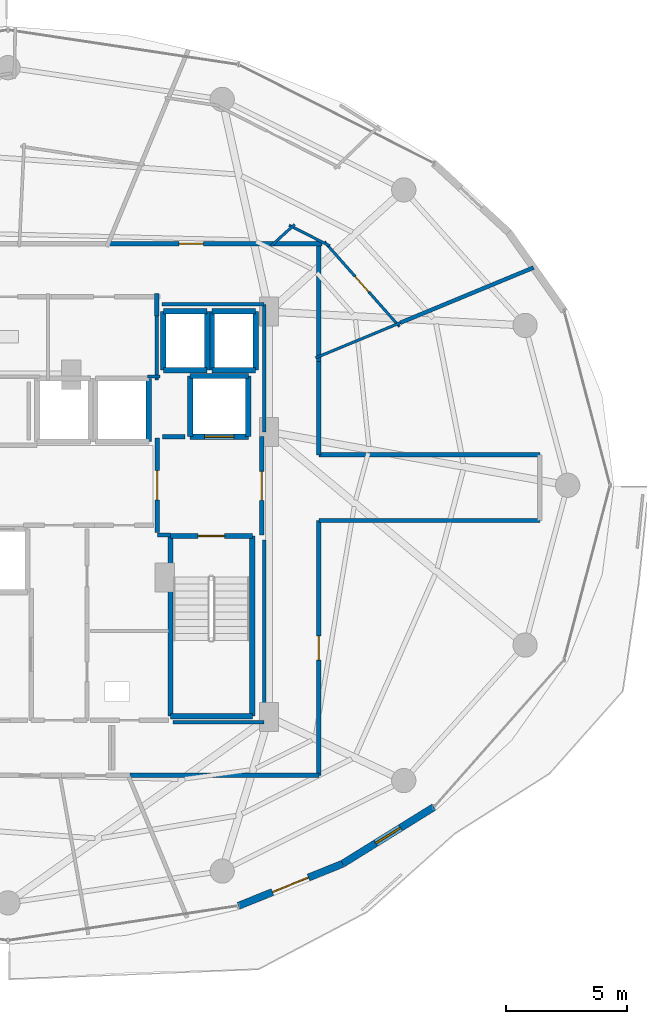
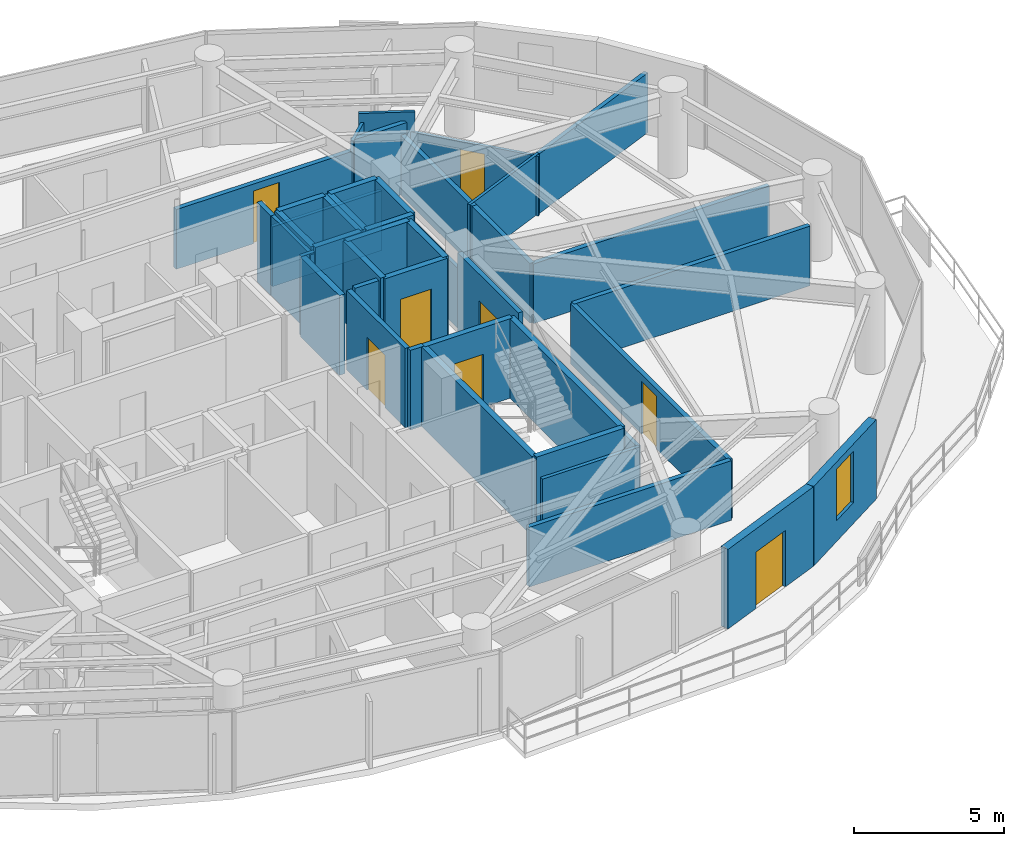
# One storey, part 24 of 29: 43 walls, 8 doors, 1 window, 9 openings.
"""IFC4 building model written with IfcOpenShell, lengths in metres."""

import ifcopenshell
import ifcopenshell.guid

model = None  # the IFC model being written
_history = None  # IfcOwnerHistory: only IFC2X3 demands one
_inside = {}  # id of a spatial element -> (the spatial element, [elements in it])
_under = {}  # id of a project, library or spatial element -> (it, [spatial elements below it])
_declared = {}  # id of a project -> (the project, [libraries it declares])
_typed = {}  # id of a type object -> (the type object, [elements of that type])
_made_of = {}  # id of a material, layer set ... -> (it, [elements and type objects made of it])


def new_model(schema):
    """Start an empty IFC model of exactly this schema.

    Asked for "IFC4X3", IfcOpenShell would pick the latest addendum, in which some entities
    have other attributes; the version numbers below select the first issue.
    IFC2X3 requires an IfcOwnerHistory on every rooted entity: one is made here for all.
    """
    global model, _history
    if schema == "IFC4X3":
        model = ifcopenshell.file(schema_version=(4, 3, 0, 0))
    else:
        model = ifcopenshell.file(schema=schema)
    _inside.clear()
    _under.clear()
    _declared.clear()
    _typed.clear()
    _made_of.clear()
    _history = None
    if model.schema == "IFC2X3":
        org = make("IfcOrganization", Name="unknown")
        user = make(
            "IfcPersonAndOrganization",
            ThePerson=make("IfcPerson", FamilyName="unknown"),
            TheOrganization=org,
        )
        app = make(
            "IfcApplication",
            ApplicationDeveloper=org,
            Version="unknown",
            ApplicationFullName="unknown",
            ApplicationIdentifier="unknown",
        )
        _history = make(
            "IfcOwnerHistory",
            OwningUser=user,
            OwningApplication=app,
            ChangeAction="ADDED",
            CreationDate=0,
        )
    return model


def make(cls, **values):
    """One entity of the class cls with the attributes given. An attribute that is None is left unset."""
    return model.create_entity(
        cls, **{name: value for name, value in values.items() if value is not None}
    )


def rooted(cls, **values):
    """An entity with a GlobalId (a new one), such as an element, a storey or a relation."""
    return make(cls, GlobalId=ifcopenshell.guid.new(), OwnerHistory=_history, **values)


def si_unit(unit_type, name, prefix=None):
    """IfcSIUnit, for example si_unit("LENGTHUNIT", "METRE", prefix="MILLI")."""
    return make("IfcSIUnit", UnitType=unit_type, Prefix=prefix, Name=name)


def assignment(units):
    """IfcUnitAssignment: the units of a project."""
    return None if units is None else make("IfcUnitAssignment", Units=units)


def point(xyz):
    """IfcCartesianPoint."""
    return None if xyz is None else make("IfcCartesianPoint", Coordinates=xyz)


def direction(xyz):
    """IfcDirection."""
    return None if xyz is None else make("IfcDirection", DirectionRatios=xyz)


def frame(location, z_axis=None, x_axis=None):
    """IfcAxis2Placement3D, a coordinate frame: its origin and axes. An axis left out is left unset."""
    return make(
        "IfcAxis2Placement3D",
        Location=point(location),
        Axis=direction(z_axis),
        RefDirection=direction(x_axis),
    )


def frame_2d(location, x_axis=None):
    """IfcAxis2Placement2D, a coordinate frame in the plane: its origin and x axis."""
    return make(
        "IfcAxis2Placement2D", Location=point(location), RefDirection=direction(x_axis)
    )


def origin():
    """The frame at (0, 0, 0) with its axes left unset."""
    return frame((0.0, 0.0, 0.0))


def place(relative_to, where):
    """IfcLocalPlacement: puts the frame where relative to a parent placement (None: the world)."""
    return make(
        "IfcLocalPlacement", PlacementRelTo=relative_to, RelativePlacement=where
    )


def context(
    kind, dimensions, precision=None, world=None, true_north=None, identifier=None
):
    """IfcGeometricRepresentationContext, for example the 3D "Model" context."""
    return make(
        "IfcGeometricRepresentationContext",
        ContextIdentifier=identifier,
        ContextType=kind,
        CoordinateSpaceDimension=dimensions,
        Precision=precision,
        WorldCoordinateSystem=world,
        TrueNorth=true_north,
    )


def subcontext(parent, identifier, kind, view, scale=None):
    """IfcGeometricRepresentationSubContext, for example "Body" below "Model"."""
    return make(
        "IfcGeometricRepresentationSubContext",
        ContextIdentifier=identifier,
        ContextType=kind,
        ParentContext=parent,
        TargetScale=scale,
        TargetView=view,
    )


def project(units=None, contexts=None):
    """IfcProject with its units and contexts."""
    return rooted(
        "IfcProject",
        Name="project",
        RepresentationContexts=contexts,
        UnitsInContext=assignment(units),
    )


def spatial(cls, under=None, at=None, **own):
    """A site, building, storey or space (cls), placed at a placement, below another one or the project."""
    s = rooted(cls, ObjectPlacement=at, **own)
    if under is not None:
        _under.setdefault(under.id(), (under, []))[1].append(s)
    return s


def profile(cls, at=None, kind="AREA", **sizes):
    """A parametric profile (cls). Its sizes go by their IFC names, for example OverallWidth=200.0."""
    return make(cls, ProfileType=kind, Position=at, **sizes)


def rectangle(**sizes):
    """IfcRectangleProfileDef."""
    return profile("IfcRectangleProfileDef", **sizes)


def extrude(swept, where, along, depth):
    """IfcExtrudedAreaSolid: the profile swept, set in the frame where, extruded along a direction by depth."""
    return make(
        "IfcExtrudedAreaSolid",
        SweptArea=swept,
        Position=where,
        ExtrudedDirection=direction(along),
        Depth=depth,
    )


def shape(context_of_items, identifier, shape_type, items):
    """IfcShapeRepresentation: the items that make up one representation, for example the "Body"."""
    return make(
        "IfcShapeRepresentation",
        ContextOfItems=context_of_items,
        RepresentationIdentifier=identifier,
        RepresentationType=shape_type,
        Items=items,
    )


def material(Name=None, Category=None):
    """IfcMaterial."""
    return make("IfcMaterial", Name=Name, Category=Category)


def layer(
    of_material, thickness, ventilated=None, Name=None, Category=None, Priority=None
):
    """IfcMaterialLayer: one layer of a wall or slab, of a material (None: an air gap)."""
    return make(
        "IfcMaterialLayer",
        Material=of_material,
        LayerThickness=thickness,
        IsVentilated=ventilated,
        Name=Name,
        Category=Category,
        Priority=Priority,
    )


def layer_set(layers, Name=None):
    """IfcMaterialLayerSet."""
    return make("IfcMaterialLayerSet", MaterialLayers=layers, LayerSetName=Name)


def made_of(thing, what):
    """Note that an element or type object is made of a material, layer set ...; save() writes the relation."""
    if what is not None:
        _made_of.setdefault(what.id(), (what, []))[1].append(thing)
    return thing


def type_object(cls, material=None, **own):
    """A type object (cls), such as IfcWallType, which elements share."""
    return made_of(rooted(cls, **own), material)


def element(
    cls,
    number,
    at=None,
    inside=None,
    cuts=None,
    type_object=None,
    material=None,
    context=None,
    identifier="Body",
    shape_type=None,
    held_by="IfcProductDefinitionShape",
    body=None,
    shapes=None,
    **own,
):
    """One element of the class cls, such as IfcWall. Its Tag is "e" and its number.

    at: its placement. inside: the storey or other place that contains it. cuts: it is an
    opening in that element (IfcRelVoidsElement). A single representation is given by context,
    identifier, shape_type and body (its items); several are given by shapes. held_by: the class
    of the entity that holds the representations. save() writes the other relations.
    """
    e = rooted(cls, Tag="e%d" % number, ObjectPlacement=at, **own)
    if body is not None:
        shapes = [shape(context, identifier, shape_type, body)]
    if shapes is not None:
        e.Representation = make(held_by, Representations=shapes)
    if inside is not None:
        _inside.setdefault(inside.id(), (inside, []))[1].append(e)
    if cuts is not None:
        rooted(
            "IfcRelVoidsElement", RelatingBuildingElement=cuts, RelatedOpeningElement=e
        )
    if type_object is not None:
        _typed.setdefault(type_object.id(), (type_object, []))[1].append(e)
    return made_of(e, material)


def fill(opening, filler):
    """IfcRelFillsElement: the door or window that sits in an opening."""
    return rooted(
        "IfcRelFillsElement",
        RelatingOpeningElement=opening,
        RelatedBuildingElement=filler,
    )


def aggregate(whole, parts):
    """IfcRelAggregates: a whole, such as a stair, and the parts it consists of."""
    return rooted("IfcRelAggregates", RelatingObject=whole, RelatedObjects=parts)


def save(model, path):
    """Write the relations noted so far, then the file.

    IfcRelAggregates (storeys below a building ...), IfcRelContainedInSpatialStructure (elements
    in a storey), IfcRelDefinesByType, IfcRelAssociatesMaterial and IfcRelDeclares: one each for
    every whole, place, type object, material and project.
    """
    for whole, parts in _under.values():
        aggregate(whole, parts)
    for where, things in _inside.values():
        rooted(
            "IfcRelContainedInSpatialStructure",
            RelatedElements=things,
            RelatingStructure=where,
        )
    for kind, things in _typed.values():
        rooted("IfcRelDefinesByType", RelatedObjects=things, RelatingType=kind)
    for what, things in _made_of.values():
        rooted("IfcRelAssociatesMaterial", RelatedObjects=things, RelatingMaterial=what)
    for by, libraries in _declared.values():
        rooted("IfcRelDeclares", RelatingContext=by, RelatedDefinitions=libraries)
    model.write(path)


model = new_model("IFC4")

# Units and contexts
model_context = context("Model", 3, precision=1e-05, world=origin(), true_north=direction((0.0, 1.0)))
body_context = subcontext(model_context, "Body", "Model", "MODEL_VIEW")
ifc_project = project(units=[si_unit("LENGTHUNIT", "METRE"), si_unit("AREAUNIT", "SQUARE_METRE"), si_unit("VOLUMEUNIT", "CUBIC_METRE"), si_unit("PLANEANGLEUNIT", "RADIAN"), si_unit("MASSUNIT", "GRAM", prefix="KILO")], contexts=[model_context])

# Site, building, storey
site_placement = place(None, origin())
site = spatial("IfcSite", under=ifc_project, at=site_placement, CompositionType="ELEMENT")
building_placement = place(site_placement, origin())
building = spatial("IfcBuilding", under=site, at=building_placement, Name="Vorneva Point Tower", CompositionType="ELEMENT")
storey_placement = place(building_placement, frame((0.0, 0.0, 167.60009765625)))
storey = spatial("IfcBuildingStorey", under=building, at=storey_placement, Name="L45", CompositionType="ELEMENT", Elevation=167.60009765625)

# Wall, opening, door
ifc_material_1 = material(Name="Concrete B60 (C50/60)", Category="concrete")
ifc_layer_1 = layer(ifc_material_1, 0.5)
ifc_layer_set_1 = layer_set([ifc_layer_1], Name="Concrete B60 (C50/60)")
wall_type_1 = type_object("IfcWallType", Name="WL-CORE-500", PredefinedType="SHEAR", material=ifc_layer_set_1)
wall_1_placement = place(storey_placement, frame((45.5, 28.0, 0.0), z_axis=(0.0, 0.0, 1.0), x_axis=(1.0, 0.0, 0.0)))
wall_1 = element("IfcWall", 1, at=wall_1_placement, inside=storey, type_object=wall_type_1, Name="L45 Lift FFL2 Shaft Wall -Y", PredefinedType="SHEAR", context=body_context, shape_type="SweptSolid", body=[
    extrude(rectangle(XDim=2.39990234375, YDim=0.219970703125, at=frame_2d((1.199951171875, 0.0))), origin(), (0.0, 0.0, 1.0), 3.239990234375),
])
opening_1_placement = place(wall_1_placement, frame((0.60009765625, 0.0, 0.0)))
opening_1 = element("IfcOpeningElement", 2, at=opening_1_placement, cuts=wall_1, Name="Opening LD-02", PredefinedType="OPENING", context=body_context, shape_type="SweptSolid", body=[
    extrude(rectangle(XDim=1.199951171875, YDim=2.199951171875, at=frame_2d((0.60009765625, 1.10009765625))), frame((0.0, 0.125, 0.0), z_axis=(0.0, -1.0, 0.0), x_axis=(1.0, 0.0, 0.0)), (0.0, 0.0, 1.0), 0.249755859375),
])
ifc_material_2 = material(Name="Brushed stainless steel S304", Category="steel")
door_type_1 = type_object("IfcDoorType", Name="LD-FIRE-1200", OperationType="SLIDING_TO_LEFT", PredefinedType="DOOR", material=ifc_material_2)
door_1_placement = place(opening_1_placement, origin())
door_1 = element("IfcDoor", 3, at=door_1_placement, inside=storey, type_object=door_type_1, Name="L45 Lift FFL2 Sliding Landing Door", OperationType="SLIDING_TO_LEFT", OverallHeight=2.199951171875, OverallWidth=1.199951171875, PredefinedType="DOOR", context=body_context, shape_type="SweptSolid", body=[
    extrude(rectangle(XDim=1.199951171875, YDim=2.199951171875, at=frame_2d((0.60009765625, 1.10009765625))), frame((0.0, 0.02490234375, 0.0), z_axis=(0.0, -1.0, 0.0), x_axis=(1.0, 0.0, 0.0)), (0.0, 0.0, 1.0), 0.050048828125),
])
fill(opening_1, door_1)

# Walls
wall_2_placement = place(storey_placement, frame((47.89990234375, 28.0, 0.0), z_axis=(0.0, 0.0, 1.0), x_axis=(0.0, 1.0, 0.0)))
element("IfcWall", 4, at=wall_2_placement, inside=storey, type_object=wall_type_1, Name="L45 Lift FFL2 Shaft Wall +X", PredefinedType="SHEAR", context=body_context, shape_type="SweptSolid", body=[
    extrude(rectangle(XDim=2.5, YDim=0.219970703125, at=frame_2d((1.25, 0.0))), origin(), (0.0, 0.0, 1.0), 3.239990234375),
])
wall_3_placement = place(storey_placement, frame((47.89990234375, 30.5, 0.0), z_axis=(0.0, 0.0, 1.0), x_axis=(-1.0, 0.0, 0.0)))
element("IfcWall", 5, at=wall_3_placement, inside=storey, type_object=wall_type_1, Name="L45 Lift FFL2 Shaft Wall +Y", PredefinedType="SHEAR", context=body_context, shape_type="SweptSolid", body=[
    extrude(rectangle(XDim=2.39990234375, YDim=0.219970703125, at=frame_2d((1.199951171875, 0.0))), origin(), (0.0, 0.0, 1.0), 3.239990234375),
])
wall_4_placement = place(storey_placement, frame((45.5, 30.5, 0.0), z_axis=(0.0, 0.0, 1.0), x_axis=(0.0, -1.0, 0.0)))
element("IfcWall", 6, at=wall_4_placement, inside=storey, type_object=wall_type_1, Name="L45 Lift FFL2 Shaft Wall -X", PredefinedType="SHEAR", context=body_context, shape_type="SweptSolid", body=[
    extrude(rectangle(XDim=2.5, YDim=0.219970703125, at=frame_2d((1.25, 0.0))), origin(), (0.0, 0.0, 1.0), 3.239990234375),
])

# Wall, opening, door
ifc_material_3 = material(Name="Precast concrete B50 (C40/50)", Category="concrete")
ifc_layer_2 = layer(ifc_material_3, 0.300048828125)
ifc_layer_set_2 = layer_set([ifc_layer_2], Name="Precast concrete B50 (C40/50)")
wall_type_2 = type_object("IfcWallType", Name="WL-EXT-300", PredefinedType="STANDARD", material=ifc_layer_set_2)
wall_5_placement = place(storey_placement, frame((47.490478515625, 8.67724609375, 0.0), z_axis=(0.0, 0.0, 1.0), x_axis=(0.927156504392, 0.374674280359, 0.0)))
wall_5 = element("IfcWall", 7, at=wall_5_placement, inside=storey, type_object=wall_type_2, Name="L45 Pale-Metal Facade Spandrel Wall 14.1", PredefinedType="STANDARD", context=body_context, shape_type="SweptSolid", body=[
    extrude(rectangle(XDim=4.62451171875, YDim=0.300048828125, at=frame_2d((2.312255859375, 0.0))), origin(), (0.0, 0.0, 1.0), 3.239990234375),
])
opening_2_placement = place(wall_5_placement, frame((1.51220703125, 0.0, 0.0)))
opening_2 = element("IfcOpeningElement", 8, at=opening_2_placement, cuts=wall_5, Name="Opening BD-01", PredefinedType="OPENING", context=body_context, shape_type="SweptSolid", body=[
    extrude(rectangle(XDim=1.60009765625, YDim=2.300048828125, at=frame_2d((0.800048828125, 1.14990234375))), frame((0.0, 0.1650390625, 0.0), z_axis=(0.0, -1.0, 0.0), x_axis=(1.0, 0.0, 0.0)), (0.0, 0.0, 1.0), 0.329833984375),
])
ifc_material_4 = material(Name="Pale anodised aluminium", Category="aluminium")
door_type_2 = type_object("IfcDoorType", Name="DR-BAL-1600", OperationType="SLIDING_TO_LEFT", PredefinedType="DOOR", material=ifc_material_4)
door_2_placement = place(opening_2_placement, origin())
door_2 = element("IfcDoor", 9, at=door_2_placement, inside=storey, type_object=door_type_2, Name="L45 Balcony Terrace Access Door 14", OperationType="SLIDING_TO_LEFT", OverallHeight=2.300048828125, OverallWidth=1.60009765625, PredefinedType="DOOR", context=body_context, shape_type="SweptSolid", body=[
    extrude(rectangle(XDim=1.60009765625, YDim=2.300048828125, at=frame_2d((0.800048828125, 1.14990234375))), frame((0.0, 0.02490234375, 0.0), z_axis=(0.0, -1.0, 0.0), x_axis=(1.0, 0.0, 0.0)), (0.0, 0.0, 1.0), 0.050048828125),
])
fill(opening_2, door_2)

# Wall, opening, window
wall_6_placement = place(storey_placement, frame((51.778076171875, 10.409912109375, 0.0), z_axis=(0.0, 0.0, 1.0), x_axis=(0.849721181976, 0.527232313977, 0.0)))
wall_6 = element("IfcWall", 10, at=wall_6_placement, inside=storey, type_object=wall_type_2, Name="L45 Pale-Metal Facade Spandrel Wall 14.2", PredefinedType="STANDARD", context=body_context, shape_type="SweptSolid", body=[
    extrude(rectangle(XDim=4.422607421875, YDim=0.300048828125, at=frame_2d((2.21142578125, 0.0))), origin(), (0.0, 0.0, 1.0), 3.239990234375),
])
opening_3_placement = place(wall_6_placement, frame((1.611328125, 0.0, 0.85009765625)))
opening_3 = element("IfcOpeningElement", 11, at=opening_3_placement, cuts=wall_6, Name="Opening W-04", PredefinedType="OPENING", context=body_context, shape_type="SweptSolid", body=[
    extrude(rectangle(XDim=1.199951171875, YDim=2.10009765625, at=frame_2d((0.60009765625, 1.050048828125))), frame((0.0, 0.1650390625, 0.0), z_axis=(0.0, -1.0, 0.0), x_axis=(1.0, 0.0, 0.0)), (0.0, 0.0, 1.0), 0.329833984375),
])
ifc_material_5 = material(Name="Double low-e laminated glass IGU", Category="glass")
window_type = type_object("IfcWindowType", Name="WN-RES-1200", PartitioningType="SINGLE_PANEL", PredefinedType="WINDOW", material=ifc_material_5)
window_placement = place(opening_3_placement, origin())
window = element("IfcWindow", 12, at=window_placement, inside=storey, type_object=window_type, Name="L45 Facade Window 14", OverallHeight=2.10009765625, OverallWidth=1.199951171875, PartitioningType="SINGLE_PANEL", PredefinedType="WINDOW", context=body_context, shape_type="SweptSolid", body=[
    extrude(rectangle(XDim=1.199951171875, YDim=2.10009765625, at=frame_2d((0.60009765625, 1.050048828125))), frame((0.0, 0.030029296875, 0.0), z_axis=(0.0, -1.0, 0.0), x_axis=(1.0, 0.0, 0.0)), (0.0, 0.0, 1.0), 0.06005859375),
])
fill(opening_3, window)

# Walls
ifc_material_6 = material(Name="Fire-rated acoustic gypsum stud partition", Category="gypsum")
ifc_layer_3 = layer(ifc_material_6, 0.110107421875)
ifc_layer_set_3 = layer_set([ifc_layer_3], Name="Fire-rated acoustic gypsum stud partition")
wall_type_3 = type_object("IfcWallType", Name="WL-PART-110", PredefinedType="PARTITIONING", material=ifc_layer_set_3)
wall_7_placement = place(storey_placement, frame((48.831298828125, 35.855712890625, 0.0), z_axis=(0.0, 0.0, 1.0), x_axis=(0.739696022243, 0.672941152463, 0.0)))
element("IfcWall", 13, at=wall_7_placement, inside=storey, type_object=wall_type_3, Name="L45 Interior Partition 059", PredefinedType="PARTITIONING", context=body_context, shape_type="SweptSolid", body=[
    extrude(rectangle(XDim=1.31298828125, YDim=0.110107421875, at=frame_2d((0.656494140625, 0.0))), origin(), (0.0, 0.0, 1.0), 2.8740234375),
])
wall_8_placement = place(storey_placement, frame((49.573974609375, 36.7080078125, 0.0), z_axis=(0.0, 0.0, 1.0), x_axis=(0.8925722309, -0.450904438464, 0.0)))
element("IfcWall", 14, at=wall_8_placement, inside=storey, type_object=wall_type_3, Name="L45 Interior Partition 060", PredefinedType="PARTITIONING", context=body_context, shape_type="SweptSolid", body=[
    extrude(rectangle(XDim=1.876708984375, YDim=0.110107421875, at=frame_2d((0.9384765625, 0.0))), origin(), (0.0, 0.0, 1.0), 3.239990234375),
])

# Wall, opening, door
wall_9_placement = place(storey_placement, frame((51.03125, 36.02978515625, 0.0), z_axis=(0.0, 0.0, 1.0), x_axis=(0.662223763999, -0.749306136632, 0.0)))
wall_9 = element("IfcWall", 15, at=wall_9_placement, inside=storey, type_object=wall_type_3, Name="L45 Interior Partition 061", PredefinedType="PARTITIONING", context=body_context, shape_type="SweptSolid", body=[
    extrude(rectangle(XDim=4.6650390625, YDim=0.110107421875, at=frame_2d((2.33251953125, 0.0))), origin(), (0.0, 0.0, 1.0), 2.431884765625),
])
opening_4_placement = place(wall_9_placement, frame((1.90771484375, 0.0, 0.0)))
opening_4 = element("IfcOpeningElement", 16, at=opening_4_placement, cuts=wall_9, Name="Opening ID-02", PredefinedType="OPENING", context=body_context, shape_type="SweptSolid", body=[
    extrude(rectangle(XDim=0.85009765625, YDim=2.10009765625, at=frame_2d((0.425048828125, 1.050048828125))), frame((0.0, 0.06982421875, 0.0), z_axis=(0.0, -1.0, 0.0), x_axis=(1.0, 0.0, 0.0)), (0.0, 0.0, 1.0), 0.139892578125),
])
ifc_material_7 = material(Name="Engineered oak fire-rated door leaf", Category="wood")
door_type_3 = type_object("IfcDoorType", Name="DR-BATH-850", OperationType="NOTDEFINED", PredefinedType="DOOR", material=ifc_material_7)
door_3_placement = place(opening_4_placement, origin())
door_3 = element("IfcDoor", 17, at=door_3_placement, inside=storey, type_object=door_type_3, Name="L45 Door Studio Apartment L45-01 / Bathroom L45-01", OperationType="SINGLE_SWING_LEFT", OverallHeight=2.10009765625, OverallWidth=0.85009765625, PredefinedType="DOOR", context=body_context, shape_type="SweptSolid", body=[
    extrude(rectangle(XDim=0.85009765625, YDim=2.10009765625, at=frame_2d((0.425048828125, 1.050048828125))), frame((0.0, 0.02490234375, 0.0), z_axis=(0.0, -1.0, 0.0), x_axis=(1.0, 0.0, 0.0)), (0.0, 0.0, 1.0), 0.050048828125),
])
fill(opening_4, door_3)

# Walls
wall_10_placement = place(storey_placement, frame((54.1572265625, 32.692626953125, 0.0), z_axis=(0.0, 0.0, 1.0), x_axis=(-0.923865440054, -0.382717452795, 0.0)))
element("IfcWall", 18, at=wall_10_placement, inside=storey, type_object=wall_type_3, Name="L45 Interior Partition 062", PredefinedType="PARTITIONING", context=body_context, shape_type="SweptSolid", body=[
    extrude(rectangle(XDim=3.77392578125, YDim=0.110107421875, at=frame_2d((1.886962890625, 0.0))), origin(), (0.0, 0.0, 1.0), 2.431884765625),
])
ifc_layer_4 = layer(ifc_material_6, 0.139892578125)
ifc_layer_set_4 = layer_set([ifc_layer_4], Name="Fire-rated acoustic gypsum stud partition")
wall_type_4 = type_object("IfcWallType", Name="WL-PART-140", PredefinedType="PARTITIONING", material=ifc_layer_set_4)
wall_11_placement = place(storey_placement, frame((43.735107421875, 30.47998046875, 0.0), z_axis=(0.0, 0.0, 1.0), x_axis=(1.0, 0.0, 0.0)))
element("IfcWall", 19, at=wall_11_placement, inside=storey, type_object=wall_type_4, Name="L45 Interior Closure Partition 115", PredefinedType="PARTITIONING", context=body_context, shape_type="SweptSolid", body=[
    extrude(rectangle(XDim=0.52490234375, YDim=0.139892578125, at=frame_2d((0.262451171875, 0.0))), origin(), (0.0, 0.0, 1.0), 3.239990234375),
])
wall_12_placement = place(storey_placement, frame((44.1201171875, 30.340087890625, 0.0), z_axis=(0.0, 0.0, 1.0), x_axis=(0.0, 1.0, 0.0)))
element("IfcWall", 20, at=wall_12_placement, inside=storey, type_object=wall_type_4, Name="L45 Interior Closure Partition 116", PredefinedType="PARTITIONING", context=body_context, shape_type="SweptSolid", body=[
    extrude(rectangle(XDim=2.659912109375, YDim=0.139892578125, at=frame_2d((1.330078125, 0.0))), origin(), (0.0, 0.0, 1.0), 3.239990234375),
])
wall_13_placement = place(storey_placement, frame((48.550048828125, 16.239990234375, 0.0), z_axis=(0.0, 0.0, 1.0), x_axis=(0.0, 1.0, 0.0)))
element("IfcWall", 21, at=wall_13_placement, inside=storey, type_object=wall_type_4, Name="L45 Interior Closure Partition 121", PredefinedType="PARTITIONING", context=body_context, shape_type="SweptSolid", body=[
    extrude(rectangle(XDim=7.513916015625, YDim=0.139892578125, at=frame_2d((3.7568359375, 0.0))), origin(), (0.0, 0.0, 1.0), 2.431884765625),
])
wall_14_placement = place(storey_placement, frame((48.550048828125, 28.196044921875, 0.0), z_axis=(0.0, 0.0, 1.0), x_axis=(0.0, 1.0, 0.0)))
element("IfcWall", 22, at=wall_14_placement, inside=storey, type_object=wall_type_4, Name="L45 Interior Closure Partition 122", PredefinedType="PARTITIONING", context=body_context, shape_type="SweptSolid", body=[
    extrude(rectangle(XDim=5.25390625, YDim=0.139892578125, at=frame_2d((2.626953125, 0.0))), origin(), (0.0, 0.0, 1.0), 2.431884765625),
])
wall_15_placement = place(storey_placement, frame((48.550048828125, 33.449951171875, 0.0), z_axis=(0.0, 0.0, 1.0), x_axis=(-1.0, 0.0, 0.0)))
element("IfcWall", 23, at=wall_15_placement, inside=storey, type_object=wall_type_4, Name="L45 Interior Closure Partition 123", PredefinedType="PARTITIONING", context=body_context, shape_type="SweptSolid", body=[
    extrude(rectangle(XDim=4.2099609375, YDim=0.139892578125, at=frame_2d((2.10498046875, 0.0))), origin(), (0.0, 0.0, 1.0), 2.431884765625),
])
wall_16_placement = place(storey_placement, frame((44.804931640625, 16.239990234375, 0.0), z_axis=(0.0, 0.0, 1.0), x_axis=(1.0, 0.0, 0.0)))
element("IfcWall", 24, at=wall_16_placement, inside=storey, type_object=wall_type_4, Name="L45 Interior Closure Partition 131", PredefinedType="PARTITIONING", context=body_context, shape_type="SweptSolid", body=[
    extrude(rectangle(XDim=3.7451171875, YDim=0.139892578125, at=frame_2d((1.87255859375, 0.0))), origin(), (0.0, 0.0, 1.0), 2.431884765625),
])
ifc_layer_5 = layer(ifc_material_6, 0.159912109375)
ifc_layer_set_5 = layer_set([ifc_layer_5], Name="Fire-rated acoustic gypsum stud partition")
wall_type_5 = type_object("IfcWallType", Name="WL-PART-160", PredefinedType="PARTITIONING", material=ifc_layer_set_5)
wall_17_placement = place(storey_placement, frame((54.157470703125, 32.6923828125, 0.0), z_axis=(0.0, 0.0, 1.0), x_axis=(0.923898107484, 0.382638585335, 0.0)))
element("IfcWall", 25, at=wall_17_placement, inside=storey, type_object=wall_type_5, Name="L45 Interior Partition 069", PredefinedType="PARTITIONING", context=body_context, shape_type="SweptSolid", body=[
    extrude(rectangle(XDim=5.939453125, YDim=0.159912109375, at=frame_2d((2.9697265625, 0.0))), origin(), (0.0, 0.0, 1.0), 2.431884765625),
])

# Wall, opening, door
ifc_material_8 = material(Name="Autoclaved aerated concrete blockwork", Category="masonry")
ifc_layer_6 = layer(ifc_material_8, 0.179931640625)
ifc_layer_set_6 = layer_set([ifc_layer_6], Name="Autoclaved aerated concrete blockwork")
wall_type_6 = type_object("IfcWallType", Name="WL-PART-180", PredefinedType="PARTITIONING", material=ifc_layer_set_6)
wall_18_placement = place(storey_placement, frame((44.14990234375, 27.955078125, 0.0), z_axis=(0.0, 0.0, 1.0), x_axis=(0.0, -1.0, 0.0)))
wall_18 = element("IfcWall", 26, at=wall_18_placement, inside=storey, type_object=wall_type_6, Name="L45 Interior Partition 003", PredefinedType="PARTITIONING", context=body_context, shape_type="SweptSolid", body=[
    extrude(rectangle(XDim=3.91015625, YDim=0.179931640625, at=frame_2d((1.955078125, 0.0))), origin(), (0.0, 0.0, 1.0), 3.239990234375),
])
opening_5_placement = place(wall_18_placement, frame((1.35498046875, 0.0, 0.0)))
opening_5 = element("IfcOpeningElement", 27, at=opening_5_placement, cuts=wall_18, Name="Opening FD-02", PredefinedType="OPENING", context=body_context, shape_type="SweptSolid", body=[
    extrude(rectangle(XDim=1.199951171875, YDim=2.14990234375, at=frame_2d((0.60009765625, 1.074951171875))), frame((0.0, 0.10498046875, 0.0), z_axis=(0.0, -1.0, 0.0), x_axis=(1.0, 0.0, 0.0)), (0.0, 0.0, 1.0), 0.209716796875),
])
ifc_material_9 = material(Name="Fire-rated powder-coated steel", Category="steel")
door_type_4 = type_object("IfcDoorType", Name="DR-FFL-1200", OperationType="NOTDEFINED", PredefinedType="DOOR", material=ifc_material_9)
door_4_placement = place(opening_5_placement, origin())
door_4 = element("IfcDoor", 28, at=door_4_placement, inside=storey, type_object=door_type_4, Name="L45 Door East Firefighting Lobby / Central Lift Lobby", OperationType="SINGLE_SWING_RIGHT", OverallHeight=2.14990234375, OverallWidth=1.199951171875, PredefinedType="DOOR", context=body_context, shape_type="SweptSolid", body=[
    extrude(rectangle(XDim=1.199951171875, YDim=2.14990234375, at=frame_2d((0.60009765625, 1.074951171875))), frame((0.0, 0.02490234375, 0.0), z_axis=(0.0, -1.0, 0.0), x_axis=(1.0, 0.0, 0.0)), (0.0, 0.0, 1.0), 0.050048828125),
])
fill(opening_5, door_4)

# Wall
wall_19_placement = place(storey_placement, frame((44.14990234375, 23.949951171875, 0.0), z_axis=(0.0, 0.0, 1.0), x_axis=(1.0, 0.0, 0.0)))
element("IfcWall", 29, at=wall_19_placement, inside=storey, type_object=wall_type_6, Name="L45 Interior Partition 004", PredefinedType="PARTITIONING", context=body_context, shape_type="SweptSolid", body=[
    extrude(rectangle(XDim=0.5400390625, YDim=0.179931640625, at=frame_2d((0.27001953125, 0.0))), origin(), (0.0, 0.0, 1.0), 3.239990234375),
])

# Wall, opening, door
wall_20_placement = place(storey_placement, frame((48.449951171875, 23.949951171875, 0.0), z_axis=(0.0, 0.0, 1.0), x_axis=(0.0, 1.0, 0.0)))
wall_20 = element("IfcWall", 30, at=wall_20_placement, inside=storey, type_object=wall_type_6, Name="L45 Interior Partition 005", PredefinedType="PARTITIONING", context=body_context, shape_type="SweptSolid", body=[
    extrude(rectangle(XDim=4.050048828125, YDim=0.179931640625, at=frame_2d((2.02490234375, 0.0))), origin(), (0.0, 0.0, 1.0), 3.239990234375),
])
opening_6_placement = place(wall_20_placement, frame((1.425048828125, 0.0, 0.0)))
opening_6 = element("IfcOpeningElement", 31, at=opening_6_placement, cuts=wall_20, Name="Opening FD-02", PredefinedType="OPENING", context=body_context, shape_type="SweptSolid", body=[
    extrude(rectangle(XDim=1.199951171875, YDim=2.14990234375, at=frame_2d((0.60009765625, 1.074951171875))), frame((0.0, 0.10498046875, 0.0), z_axis=(0.0, -1.0, 0.0), x_axis=(1.0, 0.0, 0.0)), (0.0, 0.0, 1.0), 0.209716796875),
])
door_5_placement = place(opening_6_placement, origin())
door_5 = element("IfcDoor", 32, at=door_5_placement, inside=storey, type_object=door_type_4, Name="L45 Door East Firefighting Lobby / L45 Circulation Corridor", OperationType="SINGLE_SWING_LEFT", OverallHeight=2.14990234375, OverallWidth=1.199951171875, PredefinedType="DOOR", context=body_context, shape_type="SweptSolid", body=[
    extrude(rectangle(XDim=1.199951171875, YDim=2.14990234375, at=frame_2d((0.60009765625, 1.074951171875))), frame((0.0, 0.02490234375, 0.0), z_axis=(0.0, -1.0, 0.0), x_axis=(1.0, 0.0, 0.0)), (0.0, 0.0, 1.0), 0.050048828125),
])
fill(opening_6, door_5)

# Wall
wall_21_placement = place(storey_placement, frame((44.1201171875, 32.969970703125, 0.0), z_axis=(0.0, 0.0, 1.0), x_axis=(0.0, 1.0, 0.0)))
element("IfcWall", 33, at=wall_21_placement, inside=storey, type_object=wall_type_6, Name="L45 Interior Partition 026", PredefinedType="PARTITIONING", context=body_context, shape_type="SweptSolid", body=[
    extrude(rectangle(XDim=0.929931640625, YDim=0.179931640625, at=frame_2d((0.46484375, 0.0))), origin(), (0.0, 0.0, 1.0), 3.239990234375),
])

# Wall, opening, door
wall_22_placement = place(storey_placement, frame((49.02392578125, 35.949951171875, 0.0), z_axis=(0.0, 0.0, 1.0), x_axis=(-1.0, 0.0, 0.0)))
wall_22 = element("IfcWall", 34, at=wall_22_placement, inside=storey, type_object=wall_type_6, Name="L45 Interior Partition 030", PredefinedType="PARTITIONING", context=body_context, shape_type="SweptSolid", body=[
    extrude(rectangle(XDim=6.962890625, YDim=0.179931640625, at=frame_2d((3.4814453125, 0.0))), origin(), (0.0, 0.0, 1.0), 2.431884765625),
])
opening_7_placement = place(wall_22_placement, frame((2.9814453125, 0.0, 0.0)))
opening_7 = element("IfcOpeningElement", 35, at=opening_7_placement, cuts=wall_22, Name="Opening UD-01", PredefinedType="OPENING", context=body_context, shape_type="SweptSolid", body=[
    extrude(rectangle(XDim=1.0, YDim=2.14990234375, at=frame_2d((0.5, 1.074951171875))), frame((0.0, 0.10498046875, 0.0), z_axis=(0.0, -1.0, 0.0), x_axis=(1.0, 0.0, 0.0)), (0.0, 0.0, 1.0), 0.209716796875),
])
door_type_5 = type_object("IfcDoorType", Name="DR-UNIT-1000", OperationType="NOTDEFINED", PredefinedType="DOOR", material=ifc_material_7)
door_6_placement = place(opening_7_placement, origin())
door_6 = element("IfcDoor", 36, at=door_6_placement, inside=storey, type_object=door_type_5, Name="L45 Door L45 Circulation Corridor / Studio Apartment L45-01", OperationType="SINGLE_SWING_LEFT", OverallHeight=2.14990234375, OverallWidth=1.0, PredefinedType="DOOR", context=body_context, shape_type="SweptSolid", body=[
    extrude(rectangle(XDim=1.0, YDim=2.14990234375, at=frame_2d((0.5, 1.074951171875))), frame((0.0, 0.02490234375, 0.0), z_axis=(0.0, -1.0, 0.0), x_axis=(1.0, 0.0, 0.0)), (0.0, 0.0, 1.0), 0.050048828125),
])
fill(opening_7, door_6)

# Walls
wall_23_placement = place(storey_placement, frame((50.800048828125, 31.10205078125, 0.0), z_axis=(0.0, 0.0, 1.0), x_axis=(0.0, 1.0, 0.0)))
element("IfcWall", 37, at=wall_23_placement, inside=storey, type_object=wall_type_6, Name="L45 Interior Partition 031", PredefinedType="PARTITIONING", context=body_context, shape_type="SweptSolid", body=[
    extrude(rectangle(XDim=4.988037109375, YDim=0.179931640625, at=frame_2d((2.494140625, 0.0))), origin(), (0.0, 0.0, 1.0), 2.431884765625),
])
wall_24_placement = place(storey_placement, frame((50.93994140625, 35.949951171875, 0.0), z_axis=(0.0, 0.0, 1.0), x_axis=(-1.0, 0.0, 0.0)))
element("IfcWall", 38, at=wall_24_placement, inside=storey, type_object=wall_type_6, Name="L45 Interior Partition 032", PredefinedType="PARTITIONING", context=body_context, shape_type="SweptSolid", body=[
    extrude(rectangle(XDim=2.055908203125, YDim=0.179931640625, at=frame_2d((1.02783203125, 0.0))), origin(), (0.0, 0.0, 1.0), 2.8740234375),
])
wall_25_placement = place(storey_placement, frame((43.014892578125, 14.050048828125, 0.0), z_axis=(0.0, 0.0, 1.0), x_axis=(1.0, 0.0, 0.0)))
element("IfcWall", 39, at=wall_25_placement, inside=storey, type_object=wall_type_6, Name="L45 Interior Partition 053", PredefinedType="PARTITIONING", context=body_context, shape_type="SweptSolid", body=[
    extrude(rectangle(XDim=7.78515625, YDim=0.179931640625, at=frame_2d((3.892578125, 0.0))), origin(), (0.0, 0.0, 1.0), 2.431884765625),
])

# Wall, opening, door
wall_26_placement = place(storey_placement, frame((50.800048828125, 14.050048828125, 0.0), z_axis=(0.0, 0.0, 1.0), x_axis=(0.0, 1.0, 0.0)))
wall_26 = element("IfcWall", 40, at=wall_26_placement, inside=storey, type_object=wall_type_6, Name="L45 Interior Partition 054", PredefinedType="PARTITIONING", context=body_context, shape_type="SweptSolid", body=[
    extrude(rectangle(XDim=10.5, YDim=0.179931640625, at=frame_2d((5.25, 0.0))), origin(), (0.0, 0.0, 1.0), 2.431884765625),
])
opening_8_placement = place(wall_26_placement, frame((4.75, 0.0, 0.0)))
opening_8 = element("IfcOpeningElement", 41, at=opening_8_placement, cuts=wall_26, Name="Opening UD-01", PredefinedType="OPENING", context=body_context, shape_type="SweptSolid", body=[
    extrude(rectangle(XDim=1.0, YDim=2.14990234375, at=frame_2d((0.5, 1.074951171875))), frame((0.0, 0.10498046875, 0.0), z_axis=(0.0, -1.0, 0.0), x_axis=(1.0, 0.0, 0.0)), (0.0, 0.0, 1.0), 0.209716796875),
])
door_7_placement = place(opening_8_placement, origin())
door_7 = element("IfcDoor", 42, at=door_7_placement, inside=storey, type_object=door_type_5, Name="L45 Door L45 Circulation Corridor / Residents Fitness Studio L45-06", OperationType="SINGLE_SWING_RIGHT", OverallHeight=2.14990234375, OverallWidth=1.0, PredefinedType="DOOR", context=body_context, shape_type="SweptSolid", body=[
    extrude(rectangle(XDim=1.0, YDim=2.14990234375, at=frame_2d((0.5, 1.074951171875))), frame((0.0, 0.02490234375, 0.0), z_axis=(0.0, -1.0, 0.0), x_axis=(1.0, 0.0, 0.0)), (0.0, 0.0, 1.0), 0.050048828125),
])
fill(opening_8, door_7)

# Walls
for number, where, z_axis, x_axis, name in (
    (43, (50.800048828125, 24.550048828125, 0.0), (0.0, 0.0, 1.0), (1.0, 0.0, 0.0), "L45 Interior Partition 055"),
    (44, (59.89990234375, 27.25, 0.0), (0.0, 0.0, 1.0), (-1.0, 0.0, 0.0), "L45 Interior Partition 057"),
):
    element("IfcWall", number, at=place(storey_placement, frame(where, z_axis=z_axis, x_axis=x_axis)), inside=storey, type_object=wall_type_6, Name=name, PredefinedType="PARTITIONING", context=body_context, shape_type="SweptSolid", body=[
        extrude(rectangle(XDim=9.099853515625, YDim=0.179931640625, at=frame_2d((4.5498046875, 0.0))), origin(), (0.0, 0.0, 1.0), 2.431884765625),
    ])
wall_27_placement = place(storey_placement, frame((50.800048828125, 27.25, 0.0), z_axis=(0.0, 0.0, 1.0), x_axis=(0.0, 1.0, 0.0)))
element("IfcWall", 45, at=wall_27_placement, inside=storey, type_object=wall_type_6, Name="L45 Interior Partition 058", PredefinedType="PARTITIONING", context=body_context, shape_type="SweptSolid", body=[
    extrude(rectangle(XDim=3.85205078125, YDim=0.179931640625, at=frame_2d((1.926025390625, 0.0))), origin(), (0.0, 0.0, 1.0), 2.431884765625),
])
wall_28_placement = place(storey_placement, frame((45.280029296875, 28.0, 0.0), z_axis=(0.0, 0.0, 1.0), x_axis=(-1.0, 0.0, 0.0)))
element("IfcWall", 46, at=wall_28_placement, inside=storey, type_object=wall_type_6, Name="L45 Interior Closure Partition 113", PredefinedType="PARTITIONING", context=body_context, shape_type="SweptSolid", body=[
    extrude(rectangle(XDim=0.9150390625, YDim=0.179931640625, at=frame_2d((0.45751953125, 0.0))), origin(), (0.0, 0.0, 1.0), 3.239990234375),
])

# Wall, opening, door
ifc_material_10 = material(Name="Concrete B50 (C40/50)", Category="concrete")
ifc_layer_7 = layer(ifc_material_10, 0.219970703125)
ifc_layer_set_7 = layer_set([ifc_layer_7], Name="Concrete B50 (C40/50)")
wall_type_7 = type_object("IfcWallType", Name="WL-SHFT-220", PredefinedType="SOLIDWALL", material=ifc_layer_set_7)
wall_29_placement = place(storey_placement, frame((44.68994140625, 23.909912109375, 0.0), z_axis=(0.0, 0.0, 1.0), x_axis=(1.0, 0.0, 0.0)))
wall_29 = element("IfcWall", 47, at=wall_29_placement, inside=storey, type_object=wall_type_7, Name="L45 Exit Stair ST2 Shaft Wall near", PredefinedType="SOLIDWALL", context=body_context, shape_type="SweptSolid", body=[
    extrude(rectangle(XDim=3.3701171875, YDim=0.219970703125, at=frame_2d((1.68505859375, 0.0))), origin(), (0.0, 0.0, 1.0), 3.239990234375),
])
opening_9_placement = place(wall_29_placement, frame((1.135009765625, 0.0, 0.0)))
opening_9 = element("IfcOpeningElement", 48, at=opening_9_placement, cuts=wall_29, Name="Opening FD-01", PredefinedType="OPENING", context=body_context, shape_type="SweptSolid", body=[
    extrude(rectangle(XDim=1.10009765625, YDim=2.14990234375, at=frame_2d((0.550048828125, 1.074951171875))), frame((0.0, 0.125, 0.0), z_axis=(0.0, -1.0, 0.0), x_axis=(1.0, 0.0, 0.0)), (0.0, 0.0, 1.0), 0.249755859375),
])
door_type_6 = type_object("IfcDoorType", Name="DR-STAIR-1100", OperationType="NOTDEFINED", PredefinedType="DOOR", material=ifc_material_9)
door_8_placement = place(opening_9_placement, origin())
door_8 = element("IfcDoor", 49, at=door_8_placement, inside=storey, type_object=door_type_6, Name="L45 Exit Stair ST2 Fire Door", OperationType="SINGLE_SWING_RIGHT", OverallHeight=2.14990234375, OverallWidth=1.10009765625, PredefinedType="DOOR", context=body_context, shape_type="SweptSolid", body=[
    extrude(rectangle(XDim=1.10009765625, YDim=2.14990234375, at=frame_2d((0.550048828125, 1.074951171875))), frame((0.0, 0.02490234375, 0.0), z_axis=(0.0, -1.0, 0.0), x_axis=(1.0, 0.0, 0.0)), (0.0, 0.0, 1.0), 0.050048828125),
])
fill(opening_9, door_8)

# Walls
wall_30_placement = place(storey_placement, frame((48.06005859375, 23.909912109375, 0.0), z_axis=(0.0, 0.0, 1.0), x_axis=(0.0, -1.0, 0.0)))
element("IfcWall", 50, at=wall_30_placement, inside=storey, type_object=wall_type_7, Name="L45 Exit Stair ST2 Shaft Wall right", PredefinedType="SOLIDWALL", context=body_context, shape_type="SweptSolid", body=[
    extrude(rectangle(XDim=7.419921875, YDim=0.219970703125, at=frame_2d((3.7099609375, 0.0))), origin(), (0.0, 0.0, 1.0), 3.239990234375),
])
wall_31_placement = place(storey_placement, frame((48.06005859375, 16.489990234375, 0.0), z_axis=(0.0, 0.0, 1.0), x_axis=(-1.0, 0.0, 0.0)))
element("IfcWall", 51, at=wall_31_placement, inside=storey, type_object=wall_type_7, Name="L45 Exit Stair ST2 Shaft Wall far", PredefinedType="SOLIDWALL", context=body_context, shape_type="SweptSolid", body=[
    extrude(rectangle(XDim=3.3701171875, YDim=0.219970703125, at=frame_2d((1.68505859375, 0.0))), origin(), (0.0, 0.0, 1.0), 3.239990234375),
])
wall_32_placement = place(storey_placement, frame((44.68994140625, 16.489990234375, 0.0), z_axis=(0.0, 0.0, 1.0), x_axis=(0.0, 1.0, 0.0)))
element("IfcWall", 52, at=wall_32_placement, inside=storey, type_object=wall_type_7, Name="L45 Exit Stair ST2 Shaft Wall left", PredefinedType="SOLIDWALL", context=body_context, shape_type="SweptSolid", body=[
    extrude(rectangle(XDim=7.419921875, YDim=0.219970703125, at=frame_2d((3.7099609375, 0.0))), origin(), (0.0, 0.0, 1.0), 3.239990234375),
])
wall_33_placement = place(storey_placement, frame((43.800048828125, 27.800048828125, 0.0), z_axis=(0.0, 0.0, 1.0), x_axis=(0.0, 1.0, 0.0)))
element("IfcWall", 53, at=wall_33_placement, inside=storey, type_object=wall_type_7, Name="L45 Lift PL8 Shaft Wall +X", PredefinedType="SOLIDWALL", context=body_context, shape_type="SweptSolid", body=[
    extrude(rectangle(XDim=2.599853515625, YDim=0.219970703125, at=frame_2d((1.2998046875, 0.0))), origin(), (0.0, 0.0, 1.0), 3.239990234375),
])
wall_34_placement = place(storey_placement, frame((44.39990234375, 30.739990234375, 0.0), z_axis=(0.0, 0.0, 1.0), x_axis=(1.0, 0.0, 0.0)))
element("IfcWall", 54, at=wall_34_placement, inside=storey, type_object=wall_type_7, Name="L45 Lift EX1 Shaft Wall -Y", PredefinedType="SOLIDWALL", context=body_context, shape_type="SweptSolid", body=[
    extrude(rectangle(XDim=1.800048828125, YDim=0.219970703125, at=frame_2d((0.89990234375, 0.0))), origin(), (0.0, 0.0, 1.0), 3.239990234375),
])
wall_35_placement = place(storey_placement, frame((46.199951171875, 30.739990234375, 0.0), z_axis=(0.0, 0.0, 1.0), x_axis=(0.0, 1.0, 0.0)))
element("IfcWall", 55, at=wall_35_placement, inside=storey, type_object=wall_type_7, Name="L45 Lift EX1 Shaft Wall +X", PredefinedType="SOLIDWALL", context=body_context, shape_type="SweptSolid", body=[
    extrude(rectangle(XDim=2.419921875, YDim=0.219970703125, at=frame_2d((1.2099609375, 0.0))), origin(), (0.0, 0.0, 1.0), 3.239990234375),
])
wall_36_placement = place(storey_placement, frame((46.199951171875, 33.159912109375, 0.0), z_axis=(0.0, 0.0, 1.0), x_axis=(-1.0, 0.0, 0.0)))
element("IfcWall", 56, at=wall_36_placement, inside=storey, type_object=wall_type_7, Name="L45 Lift EX1 Shaft Wall +Y", PredefinedType="SOLIDWALL", context=body_context, shape_type="SweptSolid", body=[
    extrude(rectangle(XDim=1.800048828125, YDim=0.219970703125, at=frame_2d((0.89990234375, 0.0))), origin(), (0.0, 0.0, 1.0), 3.239990234375),
])
wall_37_placement = place(storey_placement, frame((44.39990234375, 33.159912109375, 0.0), z_axis=(0.0, 0.0, 1.0), x_axis=(0.0, -1.0, 0.0)))
element("IfcWall", 57, at=wall_37_placement, inside=storey, type_object=wall_type_7, Name="L45 Lift EX1 Shaft Wall -X", PredefinedType="SOLIDWALL", context=body_context, shape_type="SweptSolid", body=[
    extrude(rectangle(XDim=2.419921875, YDim=0.219970703125, at=frame_2d((1.2099609375, 0.0))), origin(), (0.0, 0.0, 1.0), 3.239990234375),
])
wall_38_placement = place(storey_placement, frame((46.39990234375, 30.739990234375, 0.0), z_axis=(0.0, 0.0, 1.0), x_axis=(1.0, 0.0, 0.0)))
element("IfcWall", 58, at=wall_38_placement, inside=storey, type_object=wall_type_7, Name="L45 Lift EX2 Shaft Wall -Y", PredefinedType="SOLIDWALL", context=body_context, shape_type="SweptSolid", body=[
    extrude(rectangle(XDim=1.800048828125, YDim=0.219970703125, at=frame_2d((0.89990234375, 0.0))), origin(), (0.0, 0.0, 1.0), 3.239990234375),
])
wall_39_placement = place(storey_placement, frame((48.199951171875, 30.739990234375, 0.0), z_axis=(0.0, 0.0, 1.0), x_axis=(0.0, 1.0, 0.0)))
element("IfcWall", 59, at=wall_39_placement, inside=storey, type_object=wall_type_7, Name="L45 Lift EX2 Shaft Wall +X", PredefinedType="SOLIDWALL", context=body_context, shape_type="SweptSolid", body=[
    extrude(rectangle(XDim=2.419921875, YDim=0.219970703125, at=frame_2d((1.2099609375, 0.0))), origin(), (0.0, 0.0, 1.0), 3.239990234375),
])
wall_40_placement = place(storey_placement, frame((48.199951171875, 33.159912109375, 0.0), z_axis=(0.0, 0.0, 1.0), x_axis=(-1.0, 0.0, 0.0)))
element("IfcWall", 60, at=wall_40_placement, inside=storey, type_object=wall_type_7, Name="L45 Lift EX2 Shaft Wall +Y", PredefinedType="SOLIDWALL", context=body_context, shape_type="SweptSolid", body=[
    extrude(rectangle(XDim=1.800048828125, YDim=0.219970703125, at=frame_2d((0.89990234375, 0.0))), origin(), (0.0, 0.0, 1.0), 3.239990234375),
])
wall_41_placement = place(storey_placement, frame((46.39990234375, 33.159912109375, 0.0), z_axis=(0.0, 0.0, 1.0), x_axis=(0.0, -1.0, 0.0)))
element("IfcWall", 61, at=wall_41_placement, inside=storey, type_object=wall_type_7, Name="L45 Lift EX2 Shaft Wall -X", PredefinedType="SOLIDWALL", context=body_context, shape_type="SweptSolid", body=[
    extrude(rectangle(XDim=2.419921875, YDim=0.219970703125, at=frame_2d((1.2099609375, 0.0))), origin(), (0.0, 0.0, 1.0), 3.239990234375),
])

save(model, "model.ifc")
